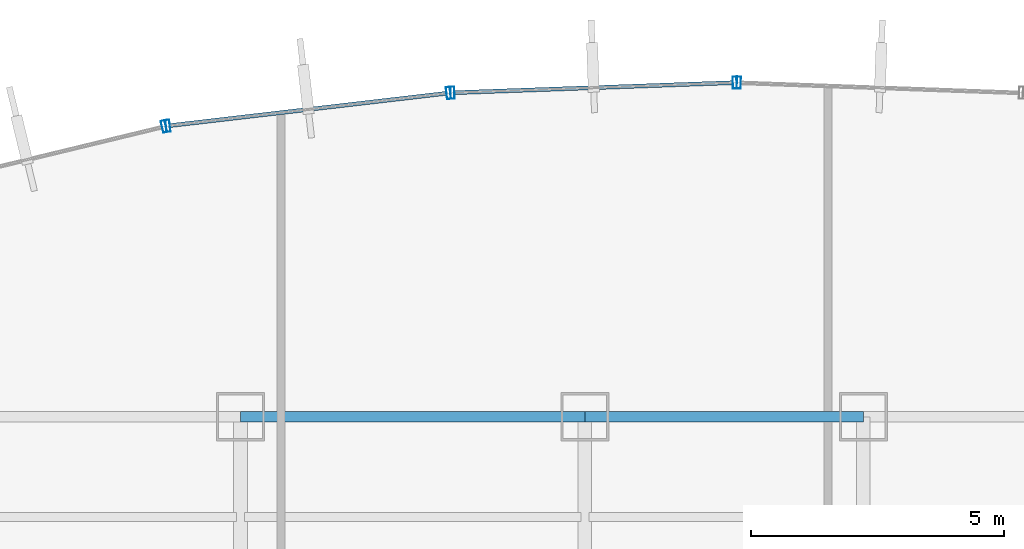
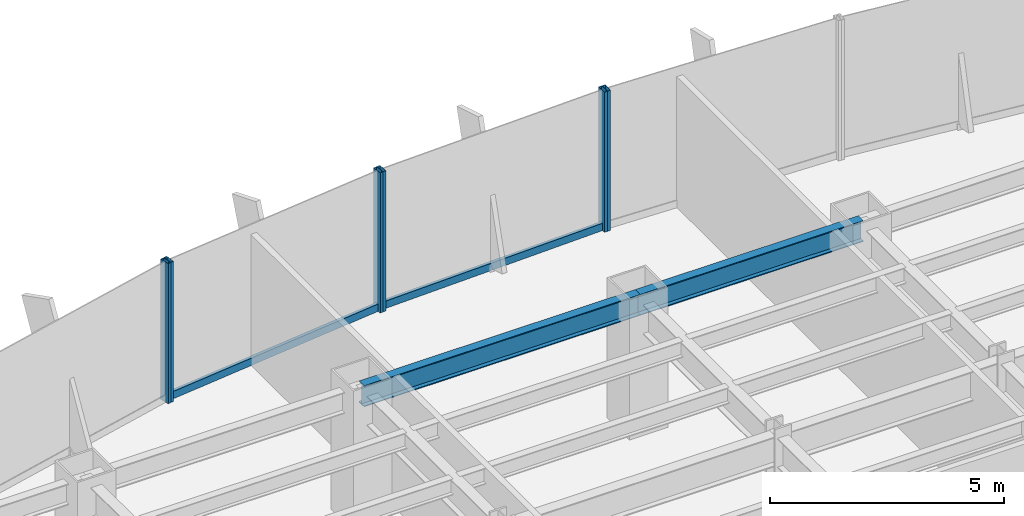
# One storey, part 12 of 22: 8 members, 2 beams, 4 elements without a shape of their own.
"""IFC4 building model written with IfcOpenShell, lengths in metres."""

from ifc_helpers import new_model, si_unit, derived_unit, direction, frame, origin, origin_2d, place, context, subcontext, project, spatial, hollow_rectangle, i_section, extrude, source, transform, mapped, material, material_profile, profile_set, type_object, element, aggregate, save


model = new_model("IFC4")

# Units and contexts
model_context = context("Model", 3, precision=1e-05, world=origin(), true_north=direction((0.0, 1.0)))
body_context = subcontext(model_context, "Body", "Model", "MODEL_VIEW")
ifc_project = project(units=[si_unit("LENGTHUNIT", "METRE"), si_unit("AREAUNIT", "SQUARE_METRE"), si_unit("VOLUMEUNIT", "CUBIC_METRE"), si_unit("PLANEANGLEUNIT", "RADIAN"), si_unit("MASSUNIT", "GRAM", prefix="KILO"), derived_unit("THERMALTRANSMITTANCEUNIT", [(si_unit("POWERUNIT", "WATT"), 1), (si_unit("LENGTHUNIT", "METRE"), -2), (si_unit("THERMODYNAMICTEMPERATUREUNIT", "KELVIN"), -1)])], contexts=[model_context])

# Site, building, storey
site_placement = place(None, origin())
site = spatial("IfcSite", under=ifc_project, at=site_placement, CompositionType="ELEMENT")
building_placement = place(site_placement, origin())
building = spatial("IfcBuilding", under=site, at=building_placement, Name="Skarnbrae Concourse Arena and Tower", CompositionType="ELEMENT")
storey_placement = place(building_placement, frame((0.0, 0.0, 72.64990234375)))
storey = spatial("IfcBuildingStorey", under=building, at=storey_placement, Name="L17", CompositionType="ELEMENT", Elevation=72.64990234375)

# Beams
ifc_material_1 = material(Name="Steel CSA G40.21 350W", Category="steel")
ifc_material_profile_1 = material_profile(ifc_material_1, i_section(OverallWidth=0.214111328125, OverallDepth=0.549072265625, WebThickness=0.0146484375, FlangeThickness=0.023681640625, at=origin_2d()), Name="W530X138")
ifc_profile_set_1 = profile_set([ifc_material_profile_1], Name="Steel CSA G40.21 350W")
beam_type = type_object("IfcBeamType", Name="BM-SPAN-W530X138", PredefinedType="SPANDREL", material=ifc_profile_set_1)
shared_shape_1 = source(origin(), body_context, "Body", "SweptSolid", [
    extrude(i_section(OverallWidth=0.214111328125, OverallDepth=0.549072265625, WebThickness=0.0146484375, FlangeThickness=0.023681640625, at=origin_2d()), origin(), (0.0, 0.0, 1.0), 6.800048828125),
])
beam_1_placement = place(storey_placement, frame((21.199951171875, 40.39990234375, 3.12548828125), z_axis=(1.0, 0.0, 0.0), x_axis=(0.0, 1.0, 0.0)))
element("IfcBeam", 1, at=beam_1_placement, inside=storey, type_object=beam_type, Name="L17 Perimeter spandrel Y40.4-3", PredefinedType="SPANDREL", context=body_context, shape_type="MappedRepresentation", body=[
    mapped(shared_shape_1, transform((0.0, 0.0, 0.0))),
])
shared_shape_2 = source(origin(), body_context, "Body", "SweptSolid", [
    extrude(i_section(OverallWidth=0.214111328125, OverallDepth=0.549072265625, WebThickness=0.0146484375, FlangeThickness=0.023681640625, at=origin_2d()), origin(), (0.0, 0.0, 1.0), 5.5),
])
beam_2_placement = place(storey_placement, frame((28.0, 40.39990234375, 3.12548828125), z_axis=(1.0, 0.0, 0.0), x_axis=(0.0, 1.0, 0.0)))
element("IfcBeam", 2, at=beam_2_placement, inside=storey, type_object=beam_type, Name="L17 Perimeter spandrel Y40.4-4", PredefinedType="SPANDREL", context=body_context, shape_type="MappedRepresentation", body=[
    mapped(shared_shape_2, transform((0.0, 0.0, 0.0))),
])

# Curtain wall, member
ifc_material_2 = material(Name="Bronze anodised aluminium 6063-T6", Category="aluminium")
curtain_wall_type = type_object("IfcCurtainWallType", Name="CW-SYS-02-LOWZONE", PredefinedType="USERDEFINED", material=ifc_material_2)
curtain_wall_1_placement = place(storey_placement, origin())
curtain_wall_1 = element("IfcCurtainWall", 3, at=curtain_wall_1_placement, inside=storey, type_object=curtain_wall_type, Name="L17 Unitised curtain wall CW-L17-E13", ObjectType="UNITISED CURTAIN WALL", PredefinedType="USERDEFINED")
ifc_material_profile_2 = material_profile(ifc_material_2, hollow_rectangle(XDim=0.080078125, YDim=0.18994140625, WallThickness=0.0048828125, at=origin_2d()), Name="ALU-TRAN-80X190")
ifc_profile_set_2 = profile_set([ifc_material_profile_2], Name="Bronze anodised aluminium 6063-T6")
member_type_1 = type_object("IfcMemberType", Name="CWT-CW-02", PredefinedType="USERDEFINED", material=ifc_profile_set_2)
shared_shape_3 = source(origin(), body_context, "Body", "SweptSolid", [
    extrude(hollow_rectangle(XDim=0.080078125, YDim=0.18994140625, WallThickness=0.0048828125, at=origin_2d()), origin(), (0.0, 0.0, 1.0), 5.49658203125),
])
member_1_placement = place(storey_placement, frame((25.2666015625, 46.78759765625, 0.09521484375), z_axis=(-0.993247281455, -0.116016541417, 0.0), x_axis=(0.116016541417, -0.993247281455, 0.0)))
member_1 = element("IfcMember", 4, at=member_1_placement, type_object=member_type_1, Name="CW-L17-E13 Transom 1", ObjectType="TRANSOM", PredefinedType="USERDEFINED", context=body_context, shape_type="MappedRepresentation", body=[
    mapped(shared_shape_3, transform((0.0, 0.0, 0.0))),
])

curtain_wall_2_placement = place(storey_placement, origin())
curtain_wall_2 = element("IfcCurtainWall", 5, at=curtain_wall_2_placement, inside=storey, type_object=curtain_wall_type, Name="L17 Unitised curtain wall CW-L17-E12", ObjectType="UNITISED CURTAIN WALL", PredefinedType="USERDEFINED")
shared_shape_4 = source(origin(), body_context, "Body", "SweptSolid", [
    extrude(hollow_rectangle(XDim=0.080078125, YDim=0.18994140625, WallThickness=0.0048828125, at=origin_2d()), origin(), (0.0, 0.0, 1.0), 5.497802734375),
])
member_2_placement = place(storey_placement, frame((30.920166015625, 46.9970703125, 0.09521484375), z_axis=(-0.999356047798, -0.03588160712, 0.0), x_axis=(0.03588160712, -0.999356047798, 0.0)))
member_2 = element("IfcMember", 6, at=member_2_placement, type_object=member_type_1, Name="CW-L17-E12 Transom 1", ObjectType="TRANSOM", PredefinedType="USERDEFINED", context=body_context, shape_type="MappedRepresentation", body=[
    mapped(shared_shape_4, transform((0.0, 0.0, 0.0))),
])

curtain_wall_3_placement = place(storey_placement, origin())
curtain_wall_3 = element("IfcCurtainWall", 7, at=curtain_wall_3_placement, inside=storey, type_object=curtain_wall_type, Name="L17 Unitised curtain wall CW-L17-E11", ObjectType="UNITISED CURTAIN WALL", PredefinedType="USERDEFINED")
ifc_material_profile_3 = material_profile(ifc_material_2, hollow_rectangle(XDim=0.080078125, YDim=0.239990234375, WallThickness=0.0048828125, at=origin_2d()), Name="ALU-MULL-80X240")
ifc_profile_set_3 = profile_set([ifc_material_profile_3], Name="Bronze anodised aluminium 6063-T6")
member_type_2 = type_object("IfcMemberType", Name="CWM-CW-02", PredefinedType="MULLION", material=ifc_profile_set_3)
shared_shape_5 = source(origin(), body_context, "Body", "SweptSolid", [
    extrude(hollow_rectangle(XDim=0.080078125, YDim=0.239990234375, WallThickness=0.0048828125, at=origin_2d()), origin(), (0.0, 0.0, 1.0), 3.650146484375),
])
member_3_placement = place(storey_placement, frame((31.0400390625, 46.99853515625, 0.0), z_axis=(0.0, 0.0, 1.0), x_axis=(-0.999355425188, 0.035898943527, 0.0)))
member_3 = element("IfcMember", 8, at=member_3_placement, type_object=member_type_2, Name="CW-L17-E11 Mullion 2", PredefinedType="MULLION", context=body_context, shape_type="MappedRepresentation", body=[
    mapped(shared_shape_5, transform((0.0, 0.0, 0.0))),
])
aggregate(curtain_wall_3, [member_3])

# Member
member_4_placement = place(storey_placement, frame((30.9599609375, 46.99853515625, 0.0), z_axis=(0.0, 0.0, 1.0), x_axis=(-0.999355425188, -0.035898943527, 0.0)))
member_4 = element("IfcMember", 9, at=member_4_placement, type_object=member_type_2, Name="CW-L17-E12 Mullion 1", PredefinedType="MULLION", context=body_context, shape_type="MappedRepresentation", body=[
    mapped(shared_shape_5, transform((0.0, 0.0, 0.0))),
])

member_5_placement = place(storey_placement, frame((25.385986328125, 46.79833984375, 0.0), z_axis=(0.0, 0.0, 1.0), x_axis=(-0.999355425188, -0.035898943527, 0.0)))
member_5 = element("IfcMember", 10, at=member_5_placement, type_object=member_type_2, Name="CW-L17-E12 Mullion 2", PredefinedType="MULLION", context=body_context, shape_type="MappedRepresentation", body=[
    mapped(shared_shape_5, transform((0.0, 0.0, 0.0))),
])

aggregate(curtain_wall_2, [member_4, member_5, member_2])

member_6_placement = place(storey_placement, frame((25.306396484375, 46.792236328125, 0.0), z_axis=(0.0, 0.0, 1.0), x_axis=(-0.99324457001, -0.116039752435, 0.0)))
member_6 = element("IfcMember", 11, at=member_6_placement, type_object=member_type_2, Name="CW-L17-E13 Mullion 1", PredefinedType="MULLION", context=body_context, shape_type="MappedRepresentation", body=[
    mapped(shared_shape_5, transform((0.0, 0.0, 0.0))),
])

member_7_placement = place(storey_placement, frame((19.767333984375, 46.14501953125, 0.0), z_axis=(0.0, 0.0, 1.0), x_axis=(-0.99324457001, -0.116039752435, 0.0)))
member_7 = element("IfcMember", 12, at=member_7_placement, type_object=member_type_2, Name="CW-L17-E13 Mullion 2", PredefinedType="MULLION", context=body_context, shape_type="MappedRepresentation", body=[
    mapped(shared_shape_5, transform((0.0, 0.0, 0.0))),
])

aggregate(curtain_wall_1, [member_6, member_7, member_1])

# Curtain wall, member
curtain_wall_4_placement = place(storey_placement, origin())
curtain_wall_4 = element("IfcCurtainWall", 13, at=curtain_wall_4_placement, inside=storey, type_object=curtain_wall_type, Name="L17 Unitised curtain wall CW-L17-E14", ObjectType="UNITISED CURTAIN WALL", PredefinedType="USERDEFINED")
member_8_placement = place(storey_placement, frame((19.688720703125, 46.131103515625, 0.0), z_axis=(0.0, 0.0, 1.0), x_axis=(-0.971973721569, -0.235089524607, 0.0)))
member_8 = element("IfcMember", 14, at=member_8_placement, type_object=member_type_2, Name="CW-L17-E14 Mullion 1", PredefinedType="MULLION", context=body_context, shape_type="MappedRepresentation", body=[
    mapped(shared_shape_5, transform((0.0, 0.0, 0.0))),
])
aggregate(curtain_wall_4, [member_8])

save(model, "model.ifc")
